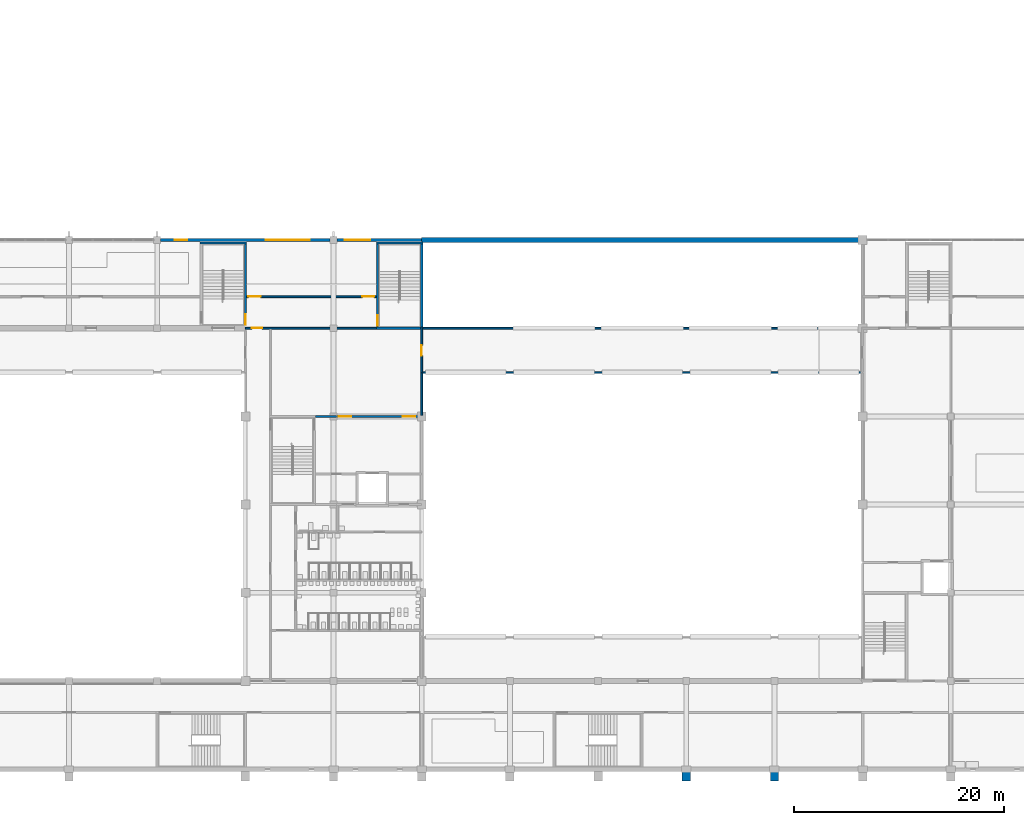
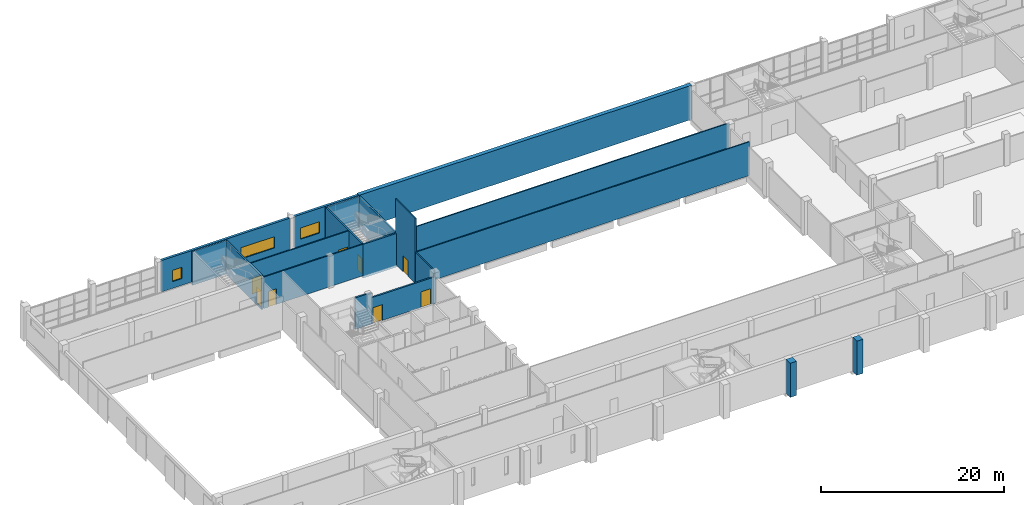
# One storey, part 25 of 64: 19 walls, 8 doors, 3 windows, 11 openings.
"""IFC4 building model written with IfcOpenShell, lengths in metres."""

from ifc_helpers import new_model, si_unit, direction, frame, frame_2d, origin, place, context, subcontext, project, spatial, rectangle, extrude, material, layer, layer_set, type_object, element, fill, save


model = new_model("IFC4")

# Units and contexts
model_context = context("Model", 3, precision=1e-05, world=origin(), true_north=direction((0.0, 1.0)))
body_context = subcontext(model_context, "Body", "Model", "MODEL_VIEW")
ifc_project = project(units=[si_unit("LENGTHUNIT", "METRE"), si_unit("AREAUNIT", "SQUARE_METRE"), si_unit("VOLUMEUNIT", "CUBIC_METRE"), si_unit("PLANEANGLEUNIT", "RADIAN"), si_unit("MASSUNIT", "GRAM", prefix="KILO")], contexts=[model_context])

# Site, building, storey
site_placement = place(None, origin())
site = spatial("IfcSite", under=ifc_project, at=site_placement, CompositionType="ELEMENT")
building_placement = place(site_placement, origin())
building = spatial("IfcBuilding", under=site, at=building_placement, Name="Rulbaag Community and Learning Centre", CompositionType="ELEMENT")
storey_placement = place(building_placement, frame((0.0, 0.0, 5.39990234375)))
storey = spatial("IfcBuildingStorey", under=building, at=storey_placement, Name="L01", CompositionType="ELEMENT", Elevation=5.39990234375)

# Walls
ifc_material_1 = material(Name="Concrete M40", Category="concrete")
ifc_layer_1 = layer(ifc_material_1, 0.800048828125)
ifc_layer_set_1 = layer_set([ifc_layer_1], Name="EW-BTR")
wall_type_1 = type_object("IfcWallType", Name="EW-BTR", PredefinedType="SOLIDWALL", material=ifc_layer_set_1)
for number, where, z_axis, x_axis, name in (
    (1, (67.199951171875, -0.22509765625, -0.2998046875), (0.0, 0.0, 1.0), (0.0, -1.0, 0.0), "Buttress pier"),
    (2, (75.60009765625, -0.22509765625, -0.2998046875), (0.0, 0.0, 1.0), (0.0, -1.0, 0.0), "Buttress pier"),
):
    element("IfcWall", number, at=place(storey_placement, frame(where, z_axis=z_axis, x_axis=x_axis)), inside=storey, type_object=wall_type_1, Name=name, PredefinedType="SOLIDWALL", context=body_context, shape_type="SweptSolid", body=[
        extrude(rectangle(XDim=0.89990234375, YDim=0.800048828125, at=frame_2d((0.449951171875, 0.0))), origin(), (0.0, 0.0, 1.0), 4.5498046875),
    ])

# Wall, openings, windows
ifc_layer_2 = layer(ifc_material_1, 0.300048828125)
ifc_layer_set_2 = layer_set([ifc_layer_2], Name="EW-CONC300")
wall_type_2 = type_object("IfcWallType", Name="EW-CONC300", PredefinedType="STANDARD", material=ifc_layer_set_2)
wall_1_placement = place(storey_placement, frame((17.125, 50.39990234375, 0.0), z_axis=(0.0, 0.0, 1.0), x_axis=(1.0, 0.0, 0.0)))
wall_1 = element("IfcWall", 3, at=wall_1_placement, inside=storey, type_object=wall_type_2, Name="Board-marked concrete cladding wall AN", PredefinedType="STANDARD", context=body_context, shape_type="SweptSolid", body=[
    extrude(rectangle(XDim=16.14990234375, YDim=0.300048828125, at=frame_2d((8.074951171875, 0.0))), origin(), (0.0, 0.0, 1.0), 4.2001953125),
])
opening_1_placement = place(wall_1_placement, frame((1.33740234375, 0.0, 0.89990234375)))
opening_1 = element("IfcOpeningElement", 4, at=opening_1_placement, cuts=wall_1, Name="Opening WN1", PredefinedType="OPENING", context=body_context, shape_type="SweptSolid", body=[
    extrude(rectangle(XDim=1.199951171875, YDim=1.5, at=frame_2d((0.60009765625, 0.75))), frame((0.0, 0.159912109375, 0.0), z_axis=(0.0, -1.0, 0.0), x_axis=(1.0, 0.0, 0.0)), (0.0, 0.0, 1.0), 0.320068359375),
])
opening_2_placement = place(wall_1_placement, frame((10.02490234375, 0.0, 0.89990234375)))
opening_2 = element("IfcOpeningElement", 5, at=opening_2_placement, cuts=wall_1, Name="Opening WN4", PredefinedType="OPENING", context=body_context, shape_type="SweptSolid", body=[
    extrude(rectangle(XDim=4.199951171875, YDim=1.5, at=frame_2d((2.10009765625, 0.75))), frame((0.0, 0.159912109375, 0.0), z_axis=(0.0, -1.0, 0.0), x_axis=(1.0, 0.0, 0.0)), (0.0, 0.0, 1.0), 0.320068359375),
])
ifc_material_2 = material(Name="Aluminium", Category="aluminium")
window_type_1 = type_object("IfcWindowType", Name="WN-12", PartitioningType="SINGLE_PANEL", PredefinedType="WINDOW", material=ifc_material_2)
window_1_placement = place(opening_1_placement, origin())
window_1 = element("IfcWindow", 6, at=window_1_placement, inside=storey, type_object=window_type_1, Name="Window WN1", OverallHeight=1.5, OverallWidth=1.199951171875, PartitioningType="SINGLE_PANEL", PredefinedType="WINDOW", context=body_context, shape_type="SweptSolid", body=[
    extrude(rectangle(XDim=1.199951171875, YDim=1.5, at=frame_2d((0.60009765625, 0.75))), frame((0.0, 0.030029296875, 0.0), z_axis=(0.0, -1.0, 0.0), x_axis=(1.0, 0.0, 0.0)), (0.0, 0.0, 1.0), 0.06005859375),
])
fill(opening_1, window_1)
window_type_2 = type_object("IfcWindowType", Name="WN-42", PartitioningType="TRIPLE_PANEL_VERTICAL", PredefinedType="WINDOW", material=ifc_material_2)
window_2_placement = place(opening_2_placement, origin())
window_2 = element("IfcWindow", 7, at=window_2_placement, inside=storey, type_object=window_type_2, Name="Window WN4", OverallHeight=1.5, OverallWidth=4.199951171875, PartitioningType="SINGLE_PANEL", PredefinedType="WINDOW", context=body_context, shape_type="SweptSolid", body=[
    extrude(rectangle(XDim=4.199951171875, YDim=1.5, at=frame_2d((2.10009765625, 0.75))), frame((0.0, 0.030029296875, 0.0), z_axis=(0.0, -1.0, 0.0), x_axis=(1.0, 0.0, 0.0)), (0.0, 0.0, 1.0), 0.06005859375),
])
fill(opening_2, window_2)

# Wall, opening, window
wall_2_placement = place(storey_placement, frame((33.925048828125, 50.39990234375, 0.0), z_axis=(0.0, 0.0, 1.0), x_axis=(1.0, 0.0, 0.0)))
wall_2 = element("IfcWall", 8, at=wall_2_placement, inside=storey, type_object=wall_type_2, Name="Board-marked concrete cladding wall AN", PredefinedType="STANDARD", context=body_context, shape_type="SweptSolid", body=[
    extrude(rectangle(XDim=8.074951171875, YDim=0.300048828125, at=frame_2d((4.03759765625, 0.0))), origin(), (0.0, 0.0, 1.0), 4.2001953125),
])
opening_3_placement = place(wall_2_placement, frame((0.75, 0.0, 0.89990234375)))
opening_3 = element("IfcOpeningElement", 9, at=opening_3_placement, cuts=wall_2, Name="Opening WN17", PredefinedType="OPENING", context=body_context, shape_type="SweptSolid", body=[
    extrude(rectangle(XDim=2.39990234375, YDim=1.5, at=frame_2d((1.199951171875, 0.75))), frame((0.0, 0.159912109375, 0.0), z_axis=(0.0, -1.0, 0.0), x_axis=(1.0, 0.0, 0.0)), (0.0, 0.0, 1.0), 0.320068359375),
])
window_type_3 = type_object("IfcWindowType", Name="WN-24", PartitioningType="DOUBLE_PANEL_VERTICAL", PredefinedType="WINDOW", material=ifc_material_2)
window_3_placement = place(opening_3_placement, origin())
window_3 = element("IfcWindow", 10, at=window_3_placement, inside=storey, type_object=window_type_3, Name="Window WN17", OverallHeight=1.5, OverallWidth=2.39990234375, PartitioningType="SINGLE_PANEL", PredefinedType="WINDOW", context=body_context, shape_type="SweptSolid", body=[
    extrude(rectangle(XDim=2.39990234375, YDim=1.5, at=frame_2d((1.199951171875, 0.75))), frame((0.0, 0.030029296875, 0.0), z_axis=(0.0, -1.0, 0.0), x_axis=(1.0, 0.0, 0.0)), (0.0, 0.0, 1.0), 0.06005859375),
])
fill(opening_3, window_3)

# Wall
ifc_material_3 = material(Name="Concrete blockwork", Category="masonry")
ifc_layer_3 = layer(ifc_material_3, 0.199951171875)
ifc_layer_set_3 = layer_set([ifc_layer_3], Name="FW-200 FIRE WALL 200")
wall_type_3 = type_object("IfcWallType", Name="FW-200 FIRE WALL 200", PredefinedType="SOLIDWALL", material=ifc_layer_set_3)
wall_3_placement = place(storey_placement, frame((31.89990234375, 33.60009765625, 0.0), z_axis=(0.0, 0.0, 1.0), x_axis=(1.0, 0.0, 0.0)))
element("IfcWall", 11, at=wall_3_placement, inside=storey, type_object=wall_type_3, Name="Fire wall L01 21", PredefinedType="SOLIDWALL", context=body_context, shape_type="SweptSolid", body=[
    extrude(rectangle(XDim=2.005126953125, YDim=0.199951171875, at=frame_2d((1.00244140625, 0.0))), origin(), (0.0, 0.0, 1.0), 4.2001953125),
])

# Wall, openings, doors
wall_4_placement = place(storey_placement, frame((33.905029296875, 33.60009765625, 0.0), z_axis=(0.0, 0.0, 1.0), x_axis=(1.0, 0.0, 0.0)))
wall_4 = element("IfcWall", 12, at=wall_4_placement, inside=storey, type_object=wall_type_3, Name="Fire wall L01 21.2", PredefinedType="SOLIDWALL", context=body_context, shape_type="SweptSolid", body=[
    extrude(rectangle(XDim=8.094970703125, YDim=0.199951171875, at=frame_2d((4.04736328125, 0.0))), origin(), (0.0, 0.0, 1.0), 3.5),
])
opening_4_placement = place(wall_4_placement, frame((0.195068359375, 0.0, 0.0)))
opening_4 = element("IfcOpeningElement", 13, at=opening_4_placement, cuts=wall_4, Name="Opening L01-D032", PredefinedType="OPENING", context=body_context, shape_type="SweptSolid", body=[
    extrude(rectangle(XDim=1.199951171875, YDim=2.10009765625, at=frame_2d((0.60009765625, 1.050048828125))), frame((0.0, 0.10986328125, 0.0), z_axis=(0.0, -1.0, 0.0), x_axis=(1.0, 0.0, 0.0)), (0.0, 0.0, 1.0), 0.219970703125),
])
opening_5_placement = place(wall_4_placement, frame((6.294921875, 0.0, 0.0)))
opening_5 = element("IfcOpeningElement", 14, at=opening_5_placement, cuts=wall_4, Name="Opening L01-D049", PredefinedType="OPENING", context=body_context, shape_type="SweptSolid", body=[
    extrude(rectangle(XDim=1.199951171875, YDim=2.10009765625, at=frame_2d((0.60009765625, 1.050048828125))), frame((0.0, 0.10986328125, 0.0), z_axis=(0.0, -1.0, 0.0), x_axis=(1.0, 0.0, 0.0)), (0.0, 0.0, 1.0), 0.219970703125),
])
ifc_material_4 = material(Name="Galvanised steel", Category="steel")
door_type_1 = type_object("IfcDoorType", Name="FDC-1200 CLASSROOM FIRE DOOR 1200 x 2100", OperationType="SINGLE_SWING_LEFT", PredefinedType="DOOR", material=ifc_material_4)
door_1_placement = place(opening_4_placement, origin())
door_1 = element("IfcDoor", 15, at=door_1_placement, inside=storey, type_object=door_type_1, Name="Door L01-D032", OperationType="SINGLE_SWING_LEFT", OverallHeight=2.10009765625, OverallWidth=1.199951171875, PredefinedType="DOOR", context=body_context, shape_type="SweptSolid", body=[
    extrude(rectangle(XDim=1.199951171875, YDim=2.10009765625, at=frame_2d((0.60009765625, 1.050048828125))), frame((0.0, 0.02490234375, 0.0), z_axis=(0.0, -1.0, 0.0), x_axis=(1.0, 0.0, 0.0)), (0.0, 0.0, 1.0), 0.050048828125),
])
fill(opening_4, door_1)
door_2_placement = place(opening_5_placement, origin())
door_2 = element("IfcDoor", 16, at=door_2_placement, inside=storey, type_object=door_type_1, Name="Door L01-D049", OperationType="SINGLE_SWING_RIGHT", OverallHeight=2.10009765625, OverallWidth=1.199951171875, PredefinedType="DOOR", context=body_context, shape_type="SweptSolid", body=[
    extrude(rectangle(XDim=1.199951171875, YDim=2.10009765625, at=frame_2d((0.60009765625, 1.050048828125))), frame((0.0, 0.02490234375, 0.0), z_axis=(0.0, -1.0, 0.0), x_axis=(1.0, 0.0, 0.0)), (0.0, 0.0, 1.0), 0.050048828125),
])
fill(opening_5, door_2)

# Walls
ifc_layer_4 = layer(ifc_material_3, 0.14990234375)
ifc_layer_set_4 = layer_set([ifc_layer_4], Name="IP-150 PARTITION 150")
wall_type_4 = type_object("IfcWallType", Name="IP-150 PARTITION 150", PredefinedType="PARTITIONING", material=ifc_layer_set_4)
wall_5_placement = place(storey_placement, frame((41.925048828125, 37.800048828125, -0.2998046875), z_axis=(0.0, 0.0, 1.0), x_axis=(1.0, 0.0, 0.0)))
element("IfcWall", 17, at=wall_5_placement, inside=storey, type_object=wall_type_4, Name="Partition L01 27", PredefinedType="PARTITIONING", context=body_context, shape_type="SweptSolid", body=[
    extrude(rectangle(XDim=42.14990234375, YDim=0.14990234375, at=frame_2d((21.074951171875, 0.0))), origin(), (0.0, 0.0, 1.0), 4.5),
])
wall_6_placement = place(storey_placement, frame((42.10009765625, 42.0, -0.2998046875), z_axis=(0.0, 0.0, 1.0), x_axis=(1.0, 0.0, 0.0)))
element("IfcWall", 18, at=wall_6_placement, inside=storey, type_object=wall_type_4, Name="Partition L01 29", PredefinedType="PARTITIONING", context=body_context, shape_type="SweptSolid", body=[
    extrude(rectangle(XDim=41.89990234375, YDim=0.14990234375, at=frame_2d((20.949951171875, 0.0))), origin(), (0.0, 0.0, 1.0), 4.5),
])
wall_7_placement = place(storey_placement, frame((42.0, 33.699951171875, -0.2998046875), z_axis=(0.0, 0.0, 1.0), x_axis=(0.0, 1.0, 0.0)))
element("IfcWall", 19, at=wall_7_placement, inside=storey, type_object=wall_type_4, Name="Partition L01 69", PredefinedType="PARTITIONING", context=body_context, shape_type="SweptSolid", body=[
    extrude(rectangle(XDim=4.025146484375, YDim=0.14990234375, at=frame_2d((2.0126953125, 0.0))), origin(), (0.0, 0.0, 1.0), 4.5),
])

# Wall, opening, door
wall_8_placement = place(storey_placement, frame((25.199951171875, 42.0, 0.0), z_axis=(0.0, 0.0, 1.0), x_axis=(1.0, 0.0, 0.0)))
wall_8 = element("IfcWall", 20, at=wall_8_placement, inside=storey, type_object=wall_type_4, Name="Partition L01 23", PredefinedType="PARTITIONING", context=body_context, shape_type="SweptSolid", body=[
    extrude(rectangle(XDim=12.5, YDim=0.14990234375, at=frame_2d((6.25, 0.0))), origin(), (0.0, 0.0, 1.0), 4.2001953125),
])
opening_6_placement = place(wall_8_placement, frame((0.60009765625, 0.0, 0.0)))
opening_6 = element("IfcOpeningElement", 21, at=opening_6_placement, cuts=wall_8, Name="Opening L01-D013", PredefinedType="OPENING", context=body_context, shape_type="SweptSolid", body=[
    extrude(rectangle(XDim=1.0, YDim=2.10009765625, at=frame_2d((0.5, 1.050048828125))), frame((0.0, 0.0849609375, 0.0), z_axis=(0.0, -1.0, 0.0), x_axis=(1.0, 0.0, 0.0)), (0.0, 0.0, 1.0), 0.169921875),
])
ifc_material_5 = material(Name="Timber", Category="wood")
door_type_2 = type_object("IfcDoorType", Name="D-1000 DOOR 1000 x 2100", OperationType="SINGLE_SWING_LEFT", PredefinedType="DOOR", material=ifc_material_5)
door_3_placement = place(opening_6_placement, origin())
door_3 = element("IfcDoor", 22, at=door_3_placement, inside=storey, type_object=door_type_2, Name="Door L01-D013", OperationType="SINGLE_SWING_LEFT", OverallHeight=2.10009765625, OverallWidth=1.0, PredefinedType="DOOR", context=body_context, shape_type="SweptSolid", body=[
    extrude(rectangle(XDim=1.0, YDim=2.10009765625, at=frame_2d((0.5, 1.050048828125))), frame((0.0, 0.02490234375, 0.0), z_axis=(0.0, -1.0, 0.0), x_axis=(1.0, 0.0, 0.0)), (0.0, 0.0, 1.0), 0.050048828125),
])
fill(opening_6, door_3)

# Wall, openings, doors
wall_9_placement = place(storey_placement, frame((25.300048828125, 45.0, 0.0), z_axis=(0.0, 0.0, 1.0), x_axis=(1.0, 0.0, 0.0)))
wall_9 = element("IfcWall", 23, at=wall_9_placement, inside=storey, type_object=wall_type_4, Name="Partition L01 30", PredefinedType="PARTITIONING", context=body_context, shape_type="SweptSolid", body=[
    extrude(rectangle(XDim=12.39990234375, YDim=0.14990234375, at=frame_2d((6.199951171875, 0.0))), origin(), (0.0, 0.0, 1.0), 4.2001953125),
])
opening_7_placement = place(wall_9_placement, frame((0.199951171875, 0.0, 0.0)))
opening_7 = element("IfcOpeningElement", 24, at=opening_7_placement, cuts=wall_9, Name="Opening L01-D011", PredefinedType="OPENING", context=body_context, shape_type="SweptSolid", body=[
    extrude(rectangle(XDim=1.14990234375, YDim=2.10009765625, at=frame_2d((0.574951171875, 1.050048828125))), frame((0.0, 0.0849609375, 0.0), z_axis=(0.0, -1.0, 0.0), x_axis=(1.0, 0.0, 0.0)), (0.0, 0.0, 1.0), 0.169921875),
])
opening_8_placement = place(wall_9_placement, frame((11.050048828125, 0.0, 0.0)))
opening_8 = element("IfcOpeningElement", 25, at=opening_8_placement, cuts=wall_9, Name="Opening L01-D038", PredefinedType="OPENING", context=body_context, shape_type="SweptSolid", body=[
    extrude(rectangle(XDim=1.14990234375, YDim=2.10009765625, at=frame_2d((0.574951171875, 1.050048828125))), frame((0.0, 0.0849609375, 0.0), z_axis=(0.0, -1.0, 0.0), x_axis=(1.0, 0.0, 0.0)), (0.0, 0.0, 1.0), 0.169921875),
])
door_type_3 = type_object("IfcDoorType", Name="D-1150 YOUTH ROOM DOOR 1150 x 2100", OperationType="SINGLE_SWING_LEFT", PredefinedType="DOOR", material=ifc_material_5)
door_4_placement = place(opening_7_placement, origin())
door_4 = element("IfcDoor", 26, at=door_4_placement, inside=storey, type_object=door_type_3, Name="Door L01-D011", OperationType="SINGLE_SWING_RIGHT", OverallHeight=2.10009765625, OverallWidth=1.14990234375, PredefinedType="DOOR", context=body_context, shape_type="SweptSolid", body=[
    extrude(rectangle(XDim=1.14990234375, YDim=2.10009765625, at=frame_2d((0.574951171875, 1.050048828125))), frame((0.0, 0.02490234375, 0.0), z_axis=(0.0, -1.0, 0.0), x_axis=(1.0, 0.0, 0.0)), (0.0, 0.0, 1.0), 0.050048828125),
])
fill(opening_7, door_4)
door_5_placement = place(opening_8_placement, origin())
door_5 = element("IfcDoor", 27, at=door_5_placement, inside=storey, type_object=door_type_3, Name="Door L01-D038", OperationType="SINGLE_SWING_LEFT", OverallHeight=2.10009765625, OverallWidth=1.14990234375, PredefinedType="DOOR", context=body_context, shape_type="SweptSolid", body=[
    extrude(rectangle(XDim=1.14990234375, YDim=2.10009765625, at=frame_2d((0.574951171875, 1.050048828125))), frame((0.0, 0.02490234375, 0.0), z_axis=(0.0, -1.0, 0.0), x_axis=(1.0, 0.0, 0.0)), (0.0, 0.0, 1.0), 0.050048828125),
])
fill(opening_8, door_5)

# Wall, opening, door
wall_10_placement = place(storey_placement, frame((42.0, 37.800048828125, 0.0), z_axis=(0.0, 0.0, 1.0), x_axis=(0.0, 1.0, 0.0)))
wall_10 = element("IfcWall", 28, at=wall_10_placement, inside=storey, type_object=wall_type_4, Name="Partition L01 57", PredefinedType="PARTITIONING", context=body_context, shape_type="SweptSolid", body=[
    extrude(rectangle(XDim=4.300048828125, YDim=0.14990234375, at=frame_2d((2.14990234375, 0.0))), origin(), (0.0, 0.0, 1.0), 8.7001953125),
])
opening_9_placement = place(wall_10_placement, frame((1.60009765625, 0.0, 0.0)))
opening_9 = element("IfcOpeningElement", 29, at=opening_9_placement, cuts=wall_10, Name="Opening L01-D052", PredefinedType="OPENING", context=body_context, shape_type="SweptSolid", body=[
    extrude(rectangle(XDim=1.0, YDim=2.10009765625, at=frame_2d((0.5, 1.050048828125))), frame((0.0, 0.0849609375, 0.0), z_axis=(0.0, -1.0, 0.0), x_axis=(1.0, 0.0, 0.0)), (0.0, 0.0, 1.0), 0.169921875),
])
door_6_placement = place(opening_9_placement, origin())
door_6 = element("IfcDoor", 30, at=door_6_placement, inside=storey, type_object=door_type_2, Name="Door L01-D052", OperationType="SINGLE_SWING_LEFT", OverallHeight=2.10009765625, OverallWidth=1.0, PredefinedType="DOOR", context=body_context, shape_type="SweptSolid", body=[
    extrude(rectangle(XDim=1.0, YDim=2.10009765625, at=frame_2d((0.5, 1.050048828125))), frame((0.0, 0.02490234375, 0.0), z_axis=(0.0, -1.0, 0.0), x_axis=(1.0, 0.0, 0.0)), (0.0, 0.0, 1.0), 0.050048828125),
])
fill(opening_9, door_6)

# Walls
ifc_layer_5 = layer(ifc_material_1, 0.5)
ifc_layer_set_5 = layer_set([ifc_layer_5], Name="W13 Shear wall 500 Concrete M40")
wall_type_5 = type_object("IfcWallType", Name="W13 Shear wall 500 Concrete M40", PredefinedType="SHEAR", material=ifc_layer_set_5)
wall_11_placement = place(storey_placement, frame((42.0, 50.39990234375, -0.2998046875), z_axis=(0.0, 0.0, 1.0), x_axis=(1.0, 0.0, 0.0)))
element("IfcWall", 31, at=wall_11_placement, inside=storey, type_object=wall_type_5, Name="WL-XMN-L01", PredefinedType="SHEAR", context=body_context, shape_type="SweptSolid", body=[
    extrude(rectangle(XDim=42.0, YDim=0.5, at=frame_2d((21.0, 0.0))), origin(), (0.0, 0.0, 1.0), 4.5498046875),
])
ifc_layer_6 = layer(ifc_material_1, 0.199951171875)
ifc_layer_set_6 = layer_set([ifc_layer_6], Name="WSE Stair enclosure wall 200 Concrete M40")
wall_type_6 = type_object("IfcWallType", Name="WSE Stair enclosure wall 200 Concrete M40", PredefinedType="SHEAR", material=ifc_layer_set_6)
wall_12_placement = place(storey_placement, frame((20.89990234375, 50.125, -0.2998046875), z_axis=(0.0, 0.0, 1.0), x_axis=(1.0, 0.0, 0.0)))
element("IfcWall", 32, at=wall_12_placement, inside=storey, type_object=wall_type_6, Name="Stair enclosure wall SH0 N L01", PredefinedType="SHEAR", context=body_context, shape_type="SweptSolid", body=[
    extrude(rectangle(XDim=4.400146484375, YDim=0.199951171875, at=frame_2d((2.2001953125, 0.0))), origin(), (0.0, 0.0, 1.0), 4.5),
])

# Wall, opening, door
wall_13_placement = place(storey_placement, frame((25.199951171875, 42.25, -0.2998046875), z_axis=(0.0, 0.0, 1.0), x_axis=(0.0, 1.0, 0.0)))
wall_13 = element("IfcWall", 33, at=wall_13_placement, inside=storey, type_object=wall_type_6, Name="Stair enclosure wall SH0 E L01", PredefinedType="SHEAR", context=body_context, shape_type="SweptSolid", body=[
    extrude(rectangle(XDim=7.77490234375, YDim=0.199951171875, at=frame_2d((3.887451171875, 0.0))), origin(), (0.0, 0.0, 1.0), 4.5),
])
opening_10_placement = place(wall_13_placement, frame((0.10009765625, 0.0, 0.300048828125)))
opening_10 = element("IfcOpeningElement", 34, at=opening_10_placement, cuts=wall_13, Name="Opening L01-D009", PredefinedType="OPENING", context=body_context, shape_type="SweptSolid", body=[
    extrude(rectangle(XDim=1.0, YDim=2.10009765625, at=frame_2d((0.5, 1.050048828125))), frame((0.0, 0.10986328125, 0.0), z_axis=(0.0, -1.0, 0.0), x_axis=(1.0, 0.0, 0.0)), (0.0, 0.0, 1.0), 0.219970703125),
])
door_type_4 = type_object("IfcDoorType", Name="FD-1000 FIRE DOOR 1000 x 2100", OperationType="SINGLE_SWING_LEFT", PredefinedType="DOOR", material=ifc_material_4)
door_7_placement = place(opening_10_placement, origin())
door_7 = element("IfcDoor", 35, at=door_7_placement, inside=storey, type_object=door_type_4, Name="Door L01-D009", OperationType="SINGLE_SWING_RIGHT", OverallHeight=2.10009765625, OverallWidth=1.0, PredefinedType="DOOR", context=body_context, shape_type="SweptSolid", body=[
    extrude(rectangle(XDim=1.0, YDim=2.10009765625, at=frame_2d((0.5, 1.050048828125))), frame((0.0, 0.02490234375, 0.0), z_axis=(0.0, -1.0, 0.0), x_axis=(1.0, 0.0, 0.0)), (0.0, 0.0, 1.0), 0.050048828125),
])
fill(opening_10, door_7)

# Walls
for number, where, z_axis, x_axis, name in (
    (36, (37.699951171875, 42.0, -0.2998046875), (0.0, 0.0, 1.0), (1.0, 0.0, 0.0), "Stair enclosure wall SH5 S L01"),
    (37, (37.699951171875, 50.125, -0.2998046875), (0.0, 0.0, 1.0), (1.0, 0.0, 0.0), "Stair enclosure wall SH5 N L01"),
):
    element("IfcWall", number, at=place(storey_placement, frame(where, z_axis=z_axis, x_axis=x_axis)), inside=storey, type_object=wall_type_6, Name=name, PredefinedType="SHEAR", context=body_context, shape_type="SweptSolid", body=[
        extrude(rectangle(XDim=4.400146484375, YDim=0.199951171875, at=frame_2d((2.2001953125, 0.0))), origin(), (0.0, 0.0, 1.0), 4.5),
    ])

# Wall, opening, door
wall_14_placement = place(storey_placement, frame((37.800048828125, 42.10009765625, -0.2998046875), z_axis=(0.0, 0.0, 1.0), x_axis=(0.0, 1.0, 0.0)))
wall_14 = element("IfcWall", 38, at=wall_14_placement, inside=storey, type_object=wall_type_6, Name="Stair enclosure wall SH5 W L01", PredefinedType="SHEAR", context=body_context, shape_type="SweptSolid", body=[
    extrude(rectangle(XDim=7.9248046875, YDim=0.199951171875, at=frame_2d((3.96240234375, 0.0))), origin(), (0.0, 0.0, 1.0), 4.5),
])
opening_11_placement = place(wall_14_placement, frame((0.14990234375, 0.0, 0.300048828125)))
opening_11 = element("IfcOpeningElement", 39, at=opening_11_placement, cuts=wall_14, Name="Opening L01-D042", PredefinedType="OPENING", context=body_context, shape_type="SweptSolid", body=[
    extrude(rectangle(XDim=1.0, YDim=2.10009765625, at=frame_2d((0.5, 1.050048828125))), frame((0.0, 0.10986328125, 0.0), z_axis=(0.0, -1.0, 0.0), x_axis=(1.0, 0.0, 0.0)), (0.0, 0.0, 1.0), 0.219970703125),
])
door_8_placement = place(opening_11_placement, origin())
door_8 = element("IfcDoor", 40, at=door_8_placement, inside=storey, type_object=door_type_4, Name="Door L01-D042", OperationType="SINGLE_SWING_LEFT", OverallHeight=2.10009765625, OverallWidth=1.0, PredefinedType="DOOR", context=body_context, shape_type="SweptSolid", body=[
    extrude(rectangle(XDim=1.0, YDim=2.10009765625, at=frame_2d((0.5, 1.050048828125))), frame((0.0, 0.02490234375, 0.0), z_axis=(0.0, -1.0, 0.0), x_axis=(1.0, 0.0, 0.0)), (0.0, 0.0, 1.0), 0.050048828125),
])
fill(opening_11, door_8)

# Wall
wall_15_placement = place(storey_placement, frame((42.0, 42.10009765625, -0.2998046875), z_axis=(0.0, 0.0, 1.0), x_axis=(0.0, 1.0, 0.0)))
element("IfcWall", 41, at=wall_15_placement, inside=storey, type_object=wall_type_6, Name="Stair enclosure wall SH5 E L01", PredefinedType="SHEAR", context=body_context, shape_type="SweptSolid", body=[
    extrude(rectangle(XDim=7.9248046875, YDim=0.199951171875, at=frame_2d((3.96240234375, 0.0))), origin(), (0.0, 0.0, 1.0), 4.5),
])

save(model, "model.ifc")
